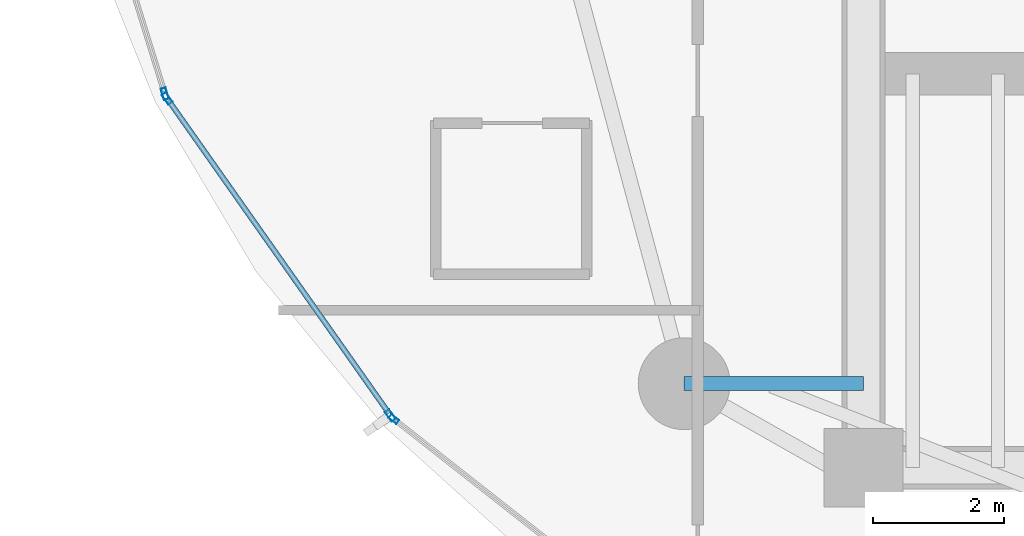
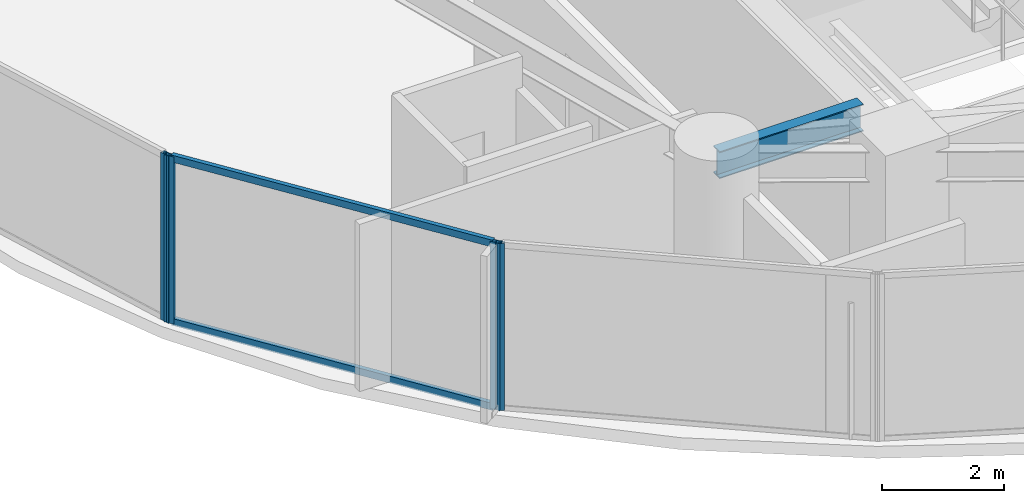
# One storey, part 3 of 33: 6 members, 1 beam, 3 elements without a shape of their own.
"""IFC4 building model written with IfcOpenShell, lengths in metres."""

from ifc_helpers import new_model, si_unit, direction, frame, origin, origin_2d, place, context, subcontext, project, spatial, hollow_rectangle, i_section, extrude, material, layer, layer_set, material_profile, profile_set, type_object, element, aggregate, save


model = new_model("IFC4")

# Units and contexts
model_context = context("Model", 3, precision=1e-05, world=origin(), true_north=direction((0.0, 1.0)))
body_context = subcontext(model_context, "Body", "Model", "MODEL_VIEW")
ifc_project = project(units=[si_unit("LENGTHUNIT", "METRE"), si_unit("AREAUNIT", "SQUARE_METRE"), si_unit("VOLUMEUNIT", "CUBIC_METRE"), si_unit("PLANEANGLEUNIT", "RADIAN"), si_unit("MASSUNIT", "GRAM", prefix="KILO")], contexts=[model_context])

# Site, building, storey
site_placement = place(None, origin())
site = spatial("IfcSite", under=ifc_project, at=site_placement, CompositionType="ELEMENT")
building_placement = place(site_placement, origin())
building = spatial("IfcBuilding", under=site, at=building_placement, Name="Kazevale Care Tower and Concert Hall", CompositionType="ELEMENT")
storey_placement = place(building_placement, frame((0.0, 0.0, 27.60009765625)))
storey = spatial("IfcBuildingStorey", under=building, at=storey_placement, Name="L06", CompositionType="ELEMENT", Elevation=27.60009765625)

# Curtain wall, members
ifc_material_1 = material(Name="Aluminium 6063-T6 and Low-E Glass", Category="aluminium")
ifc_layer_1 = layer(ifc_material_1, 0.179931640625)
ifc_layer_set_1 = layer_set([ifc_layer_1], Name="Aluminium 6063-T6 and Low-E Glass")
curtain_wall_type_1 = type_object("IfcCurtainWallType", Name="Waist & Upper Residential Curtain Wall CW-4", PredefinedType="NOTDEFINED", material=ifc_layer_set_1)
curtain_wall_1_placement = place(storey_placement, origin())
curtain_wall_1 = element("IfcCurtainWall", 1, at=curtain_wall_1_placement, inside=storey, type_object=curtain_wall_type_1, Name="cw:L06:f11", PredefinedType="NOTDEFINED")
ifc_material_2 = material(Name="Aluminium 6063-T6", Category="aluminium")
ifc_material_profile_1 = material_profile(ifc_material_2, hollow_rectangle(XDim=0.080078125, YDim=0.179931640625, WallThickness=0.0048828125, at=origin_2d()), Name="ALU80x180x5")
ifc_profile_set_1 = profile_set([ifc_material_profile_1], Name="Aluminium 6063-T6")
member_type_1 = type_object("IfcMemberType", Name="CW-4 Mullion ALU80x180x5", PredefinedType="MULLION", material=ifc_profile_set_1)
member_1_placement = place(storey_placement, frame((14.794921875, 24.396728515625, 0.0), z_axis=(0.0, 0.0, 1.0), x_axis=(-0.817564654583, -0.575836813322, 0.0)))
member_1 = element("IfcMember", 2, at=member_1_placement, type_object=member_type_1, Name="CW-4 mullion 1", PredefinedType="MULLION", context=body_context, shape_type="SweptSolid", body=[
    extrude(hollow_rectangle(XDim=0.080078125, YDim=0.179931640625, WallThickness=0.0048828125, at=origin_2d()), origin(), (0.0, 0.0, 1.0), 3.35986328125),
])
member_2_placement = place(storey_placement, frame((11.39404296875, 29.225341796875, 0.0), z_axis=(0.0, 0.0, 1.0), x_axis=(-0.817564654583, -0.575836813322, 0.0)))
member_2 = element("IfcMember", 3, at=member_2_placement, type_object=member_type_1, Name="CW-4 mullion 2", PredefinedType="MULLION", context=body_context, shape_type="SweptSolid", body=[
    extrude(hollow_rectangle(XDim=0.080078125, YDim=0.179931640625, WallThickness=0.0048828125, at=origin_2d()), origin(), (0.0, 0.0, 1.0), 3.35986328125),
])

# Curtain wall, member
curtain_wall_2_placement = place(storey_placement, origin())
curtain_wall_2 = element("IfcCurtainWall", 4, at=curtain_wall_2_placement, inside=storey, type_object=curtain_wall_type_1, Name="cw:L06:f12", PredefinedType="NOTDEFINED")
member_3_placement = place(storey_placement, frame((11.359130859375, 29.296142578125, 0.0), z_axis=(0.0, 0.0, 1.0), x_axis=(-0.955157326175, -0.296098771112, 0.0)))
member_3 = element("IfcMember", 5, at=member_3_placement, type_object=member_type_1, Name="CW-4 mullion 1", PredefinedType="MULLION", context=body_context, shape_type="SweptSolid", body=[
    extrude(hollow_rectangle(XDim=0.080078125, YDim=0.179931640625, WallThickness=0.0048828125, at=origin_2d()), origin(), (0.0, 0.0, 1.0), 3.35986328125),
])
aggregate(curtain_wall_2, [member_3])

# Member
ifc_material_profile_2 = material_profile(ifc_material_2, hollow_rectangle(XDim=0.080078125, YDim=0.139892578125, WallThickness=0.00390625, at=origin_2d()), Name="ALU80x140x4")
ifc_profile_set_2 = profile_set([ifc_material_profile_2], Name="Aluminium 6063-T6")
member_type_2 = type_object("IfcMemberType", Name="CW-4 Transom ALU80x140x4", PredefinedType="USERDEFINED", material=ifc_profile_set_2)
member_4_placement = place(storey_placement, frame((14.77197265625, 24.429443359375, 0.039794921875), z_axis=(-0.575850423039, 0.817555068657, 0.0), x_axis=(-0.817555068657, -0.575850423039, 0.0)))
member_4 = element("IfcMember", 6, at=member_4_placement, type_object=member_type_2, Name="CW-4 transom 1.1", ObjectType="TRANSOM", PredefinedType="USERDEFINED", context=body_context, shape_type="SweptSolid", body=[
    extrude(hollow_rectangle(XDim=0.080078125, YDim=0.139892578125, WallThickness=0.00390625, at=origin_2d()), origin(), (0.0, 0.0, 1.0), 5.826171875),
])

member_5_placement = place(storey_placement, frame((14.77197265625, 24.429443359375, 3.31982421875), z_axis=(-0.575850423039, 0.817555068657, 0.0), x_axis=(-0.817555068657, -0.575850423039, 0.0)))
member_5 = element("IfcMember", 7, at=member_5_placement, type_object=member_type_2, Name="CW-4 transom 1.2", ObjectType="TRANSOM", PredefinedType="USERDEFINED", context=body_context, shape_type="SweptSolid", body=[
    extrude(hollow_rectangle(XDim=0.080078125, YDim=0.139892578125, WallThickness=0.00390625, at=origin_2d()), origin(), (0.0, 0.0, 1.0), 5.826171875),
])

aggregate(curtain_wall_1, [member_1, member_2, member_4, member_5])

# Curtain wall, member
ifc_layer_2 = layer(ifc_material_1, 0.179931640625)
ifc_layer_set_2 = layer_set([ifc_layer_2], Name="Aluminium 6063-T6 and Low-E Glass")
curtain_wall_type_2 = type_object("IfcCurtainWallType", Name="Sheltered Concave Balcony Curtain Wall CW-5", PredefinedType="NOTDEFINED", material=ifc_layer_set_2)
curtain_wall_3_placement = place(storey_placement, origin())
curtain_wall_3 = element("IfcCurtainWall", 8, at=curtain_wall_3_placement, inside=storey, type_object=curtain_wall_type_2, Name="cw:L06:f10", PredefinedType="NOTDEFINED")
ifc_material_profile_3 = material_profile(ifc_material_2, hollow_rectangle(XDim=0.074951171875, YDim=0.14990234375, WallThickness=0.00390625, at=origin_2d()), Name="ALU75x150x4")
ifc_profile_set_3 = profile_set([ifc_material_profile_3], Name="Aluminium 6063-T6")
member_type_3 = type_object("IfcMemberType", Name="CW-5 Mullion ALU75x150x4", PredefinedType="MULLION", material=ifc_profile_set_3)
member_6_placement = place(storey_placement, frame((14.847412109375, 24.3408203125, 0.0), z_axis=(0.0, 0.0, 1.0), x_axis=(-0.617807548814, -0.78632934107, 0.0)))
member_6 = element("IfcMember", 9, at=member_6_placement, type_object=member_type_3, Name="CW-5 mullion 2", PredefinedType="MULLION", context=body_context, shape_type="SweptSolid", body=[
    extrude(hollow_rectangle(XDim=0.074951171875, YDim=0.14990234375, WallThickness=0.00390625, at=origin_2d()), origin(), (0.0, 0.0, 1.0), 3.35986328125),
])
aggregate(curtain_wall_3, [member_6])

# Beam
ifc_material_3 = material(Name="Steel ASTM A572 Gr 50", Category="steel")
ifc_material_profile_4 = material_profile(ifc_material_3, i_section(OverallWidth=0.2119140625, OverallDepth=0.5439453125, WebThickness=0.01318359375, FlangeThickness=0.021240234375, at=origin_2d()), Name="W530x123")
ifc_profile_set_4 = profile_set([ifc_material_profile_4], Name="Steel ASTM A572 Gr 50")
beam_type = type_object("IfcBeamType", Name="Radial Floor Girder W530x123", PredefinedType="BEAM", material=ifc_profile_set_4)
beam_placement = place(storey_placement, frame((22.0, 24.8798828125, 3.087890625), z_axis=(-1.0, 0.0, 0.0), x_axis=(0.0, -1.0, 0.0)))
element("IfcBeam", 10, at=beam_placement, inside=storey, type_object=beam_type, Name="beam:L06:rad:10", PredefinedType="BEAM", context=body_context, shape_type="SweptSolid", body=[
    extrude(i_section(OverallWidth=0.2119140625, OverallDepth=0.5439453125, WebThickness=0.01318359375, FlangeThickness=0.021240234375, at=origin_2d()), origin(), (0.0, 0.0, 1.0), 2.72998046875),
])

save(model, "model.ifc")
